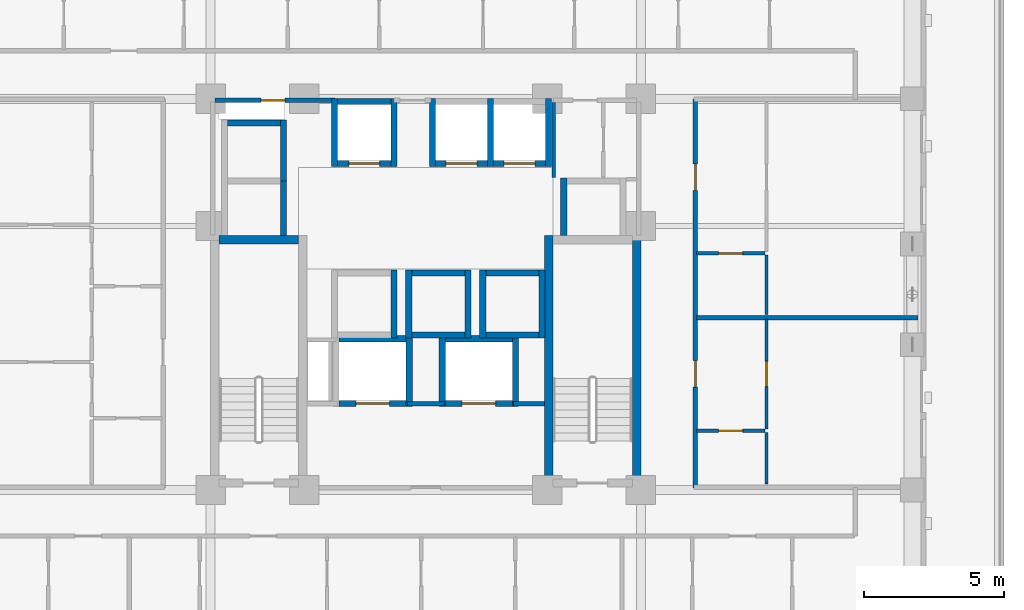
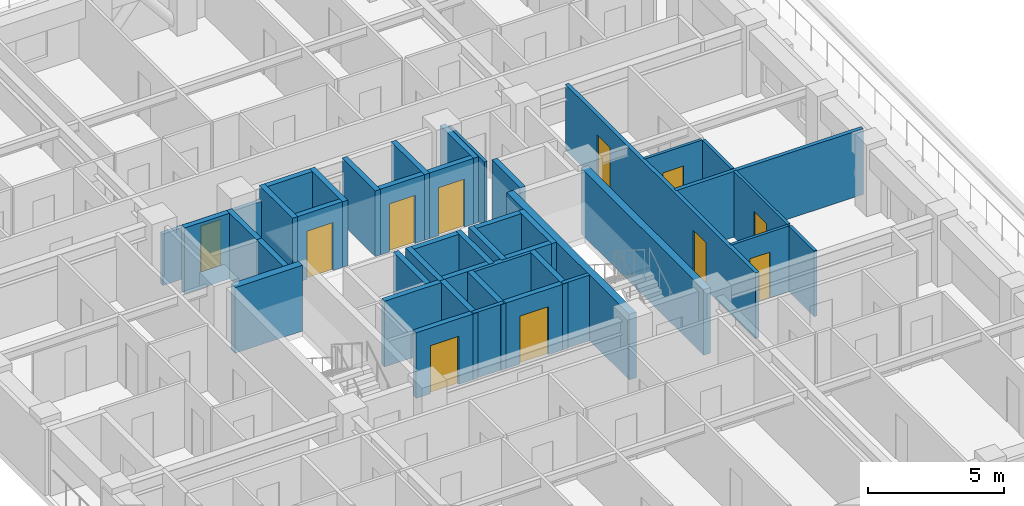
# One storey, part 9 of 16: 43 walls, 11 doors, 11 openings.
"""IFC4 building model written with IfcOpenShell, lengths in metres."""

from ifc_helpers import new_model, si_unit, derived_unit, direction, frame, frame_2d, origin, place, context, subcontext, project, spatial, rectangle, extrude, material, layer, layer_set, type_object, element, fill, save


model = new_model("IFC4")

# Units and contexts
model_context = context("Model", 3, precision=1e-05, world=origin(), true_north=direction((0.0, 1.0)))
body_context = subcontext(model_context, "Body", "Model", "MODEL_VIEW")
ifc_project = project(units=[si_unit("LENGTHUNIT", "METRE"), si_unit("AREAUNIT", "SQUARE_METRE"), si_unit("VOLUMEUNIT", "CUBIC_METRE"), si_unit("PLANEANGLEUNIT", "RADIAN"), si_unit("MASSUNIT", "GRAM", prefix="KILO"), derived_unit("THERMALTRANSMITTANCEUNIT", [(si_unit("MASSUNIT", "GRAM", prefix="KILO"), 1), (si_unit("TIMEUNIT", "SECOND"), -3), (si_unit("THERMODYNAMICTEMPERATUREUNIT", "KELVIN"), -1)])], contexts=[model_context])

# Site, building, storey
site_placement = place(None, origin())
site = spatial("IfcSite", under=ifc_project, at=site_placement, CompositionType="ELEMENT")
building_placement = place(site_placement, origin())
building = spatial("IfcBuilding", under=site, at=building_placement, Name="Korrvale Station Residences", CompositionType="ELEMENT")
storey_placement = place(building_placement, frame((0.0, 0.0, 75.10009765625)))
storey = spatial("IfcBuildingStorey", under=building, at=storey_placement, Name="L20", CompositionType="ELEMENT", Elevation=75.10009765625)

# Walls
ifc_material_1 = material(Name="Concrete C60/75", Category="concrete")
ifc_layer_1 = layer(ifc_material_1, 0.300048828125, Name="Concrete C60/75")
ifc_layer_set_1 = layer_set([ifc_layer_1], Name="Concrete C60/75")
wall_type_1 = type_object("IfcWallType", Name="WAL-CORE-300-C60", PredefinedType="SHEAR", material=ifc_layer_set_1)
wall_1_placement = place(storey_placement, frame((18.10009765625, 23.949951171875, 0.0), z_axis=(0.0, 0.0, 1.0), x_axis=(1.0, 0.0, 0.0)))
element("IfcWall", 1, at=wall_1_placement, inside=storey, type_object=wall_type_1, Name="L20 ST-1 Core Shear Wall North", PredefinedType="SHEAR", context=body_context, shape_type="SweptSolid", body=[
    extrude(rectangle(XDim=2.849853515625, YDim=0.300048828125, at=frame_2d((1.4248046875, 0.0))), origin(), (0.0, 0.0, 1.0), 2.93994140625),
])
for number, where, z_axis, x_axis, name in (
    (2, (29.89990234375, 15.10009765625, 0.0), (0.0, 0.0, 1.0), (0.0, 1.0, 0.0), "L20 ST-2 Core Shear Wall West"),
    (3, (33.050048828125, 15.10009765625, 0.0), (0.0, 0.0, 1.0), (0.0, 1.0, 0.0), "L20 ST-2 Core Shear Wall East"),
):
    element("IfcWall", number, at=place(storey_placement, frame(where, z_axis=z_axis, x_axis=x_axis)), inside=storey, type_object=wall_type_1, Name=name, PredefinedType="SHEAR", context=body_context, shape_type="SweptSolid", body=[
        extrude(rectangle(XDim=9.0, YDim=0.300048828125, at=frame_2d((4.5, 0.0))), origin(), (0.0, 0.0, 1.0), 2.93994140625),
    ])
ifc_material_2 = material(Name="Acoustic steel-stud gypsum board partition", Category="steel")
ifc_layer_2 = layer(ifc_material_2, 0.1201171875, Name="Acoustic steel-stud gypsum board partition")
ifc_layer_set_2 = layer_set([ifc_layer_2], Name="Acoustic steel-stud gypsum board partition")
wall_type_2 = type_object("IfcWallType", Name="WAL-PART-125", PredefinedType="PARTITIONING", material=ifc_layer_set_2)
wall_2_placement = place(storey_placement, frame((30.080078125, 26.179931640625, 0.0), z_axis=(0.0, 0.0, 1.0), x_axis=(0.0, 1.0, 0.0)))
element("IfcWall", 4, at=wall_2_placement, inside=storey, type_object=wall_type_2, Name="L20 Core Partition CW-CS-W", PredefinedType="PARTITIONING", context=body_context, shape_type="SweptSolid", body=[
    extrude(rectangle(XDim=2.68017578125, YDim=0.1201171875, at=frame_2d((1.340087890625, 0.0))), origin(), (0.0, 0.0, 1.0), 2.93994140625),
])

# Wall, opening, door
wall_3_placement = place(storey_placement, frame((35.18994140625, 17.1201171875, 0.0), z_axis=(0.0, 0.0, 1.0), x_axis=(1.0, 0.0, 0.0)))
wall_3 = element("IfcWall", 5, at=wall_3_placement, inside=storey, type_object=wall_type_2, Name="L20 Suite Partition U06-H01", PredefinedType="PARTITIONING", context=body_context, shape_type="SweptSolid", body=[
    extrude(rectangle(XDim=2.449951171875, YDim=0.1201171875, at=frame_2d((1.22509765625, 0.0))), origin(), (0.0, 0.0, 1.0), 2.93994140625),
])
opening_1_placement = place(wall_3_placement, frame((0.794921875, 0.0, 0.0)))
opening_1 = element("IfcOpeningElement", 6, at=opening_1_placement, cuts=wall_3, Name="Opening DB-860", PredefinedType="OPENING", context=body_context, shape_type="SweptSolid", body=[
    extrude(rectangle(XDim=0.860107421875, YDim=2.050048828125, at=frame_2d((0.43017578125, 1.02490234375))), frame((0.0, 0.070068359375, 0.0), z_axis=(0.0, -1.0, 0.0), x_axis=(1.0, 0.0, 0.0)), (0.0, 0.0, 1.0), 0.14013671875),
])
ifc_material_3 = material(Name="Moisture-resistant solid-core bathroom door", Category="timber")
door_type_1 = type_object("IfcDoorType", Name="DR-BATH-860", OperationType="NOTDEFINED", PredefinedType="DOOR", material=ifc_material_3)
door_1_placement = place(opening_1_placement, origin())
door_1 = element("IfcDoor", 7, at=door_1_placement, inside=storey, type_object=door_type_1, Name="L20 Studio Apartment L20-U06 Bathroom Door", OperationType="SINGLE_SWING_RIGHT", OverallHeight=2.050048828125, OverallWidth=0.860107421875, PredefinedType="DOOR", context=body_context, shape_type="SweptSolid", body=[
    extrude(rectangle(XDim=0.860107421875, YDim=2.050048828125, at=frame_2d((0.43017578125, 1.02490234375))), frame((0.0, 0.02490234375, 0.0), z_axis=(0.0, -1.0, 0.0), x_axis=(1.0, 0.0, 0.0)), (0.0, 0.0, 1.0), 0.050048828125),
])
fill(opening_1, door_1)

# Wall
wall_4_placement = place(storey_placement, frame((37.699951171875, 15.2099609375, 0.0), z_axis=(0.0, 0.0, 1.0), x_axis=(0.0, 1.0, 0.0)))
element("IfcWall", 8, at=wall_4_placement, inside=storey, type_object=wall_type_2, Name="L20 Suite Partition U06-V02", PredefinedType="PARTITIONING", context=body_context, shape_type="SweptSolid", body=[
    extrude(rectangle(XDim=1.85009765625, YDim=0.1201171875, at=frame_2d((0.925048828125, 0.0))), origin(), (0.0, 0.0, 1.0), 2.93994140625),
])

# Wall, opening, door
wall_5_placement = place(storey_placement, frame((37.699951171875, 17.179931640625, 0.0), z_axis=(0.0, 0.0, 1.0), x_axis=(0.0, 1.0, 0.0)))
wall_5 = element("IfcWall", 9, at=wall_5_placement, inside=storey, type_object=wall_type_2, Name="L20 Suite Partition U06-V12", PredefinedType="PARTITIONING", context=body_context, shape_type="SweptSolid", body=[
    extrude(rectangle(XDim=3.946044921875, YDim=0.1201171875, at=frame_2d((1.97314453125, 0.0))), origin(), (0.0, 0.0, 1.0), 2.93994140625),
])
opening_2_placement = place(wall_5_placement, frame((1.52294921875, 0.0, 0.0)))
opening_2 = element("IfcOpeningElement", 10, at=opening_2_placement, cuts=wall_5, Name="Opening DI-900", PredefinedType="OPENING", context=body_context, shape_type="SweptSolid", body=[
    extrude(rectangle(XDim=0.89990234375, YDim=2.050048828125, at=frame_2d((0.449951171875, 1.02490234375))), frame((0.0, 0.070068359375, 0.0), z_axis=(0.0, -1.0, 0.0), x_axis=(1.0, 0.0, 0.0)), (0.0, 0.0, 1.0), 0.14013671875),
])
ifc_material_4 = material(Name="Painted solid-core timber interior room door", Category="wood")
door_type_2 = type_object("IfcDoorType", Name="DR-INT-900", OperationType="NOTDEFINED", PredefinedType="DOOR", material=ifc_material_4)
door_2_placement = place(opening_2_placement, origin())
door_2 = element("IfcDoor", 11, at=door_2_placement, inside=storey, type_object=door_type_2, Name="L20 Studio Apartment L20-U06 Kitchen Door", OperationType="SINGLE_SWING_LEFT", OverallHeight=2.050048828125, OverallWidth=0.89990234375, PredefinedType="DOOR", context=body_context, shape_type="SweptSolid", body=[
    extrude(rectangle(XDim=0.89990234375, YDim=2.050048828125, at=frame_2d((0.449951171875, 1.02490234375))), frame((0.0, 0.02490234375, 0.0), z_axis=(0.0, -1.0, 0.0), x_axis=(1.0, 0.0, 0.0)), (0.0, 0.0, 1.0), 0.050048828125),
])
fill(opening_2, door_2)

wall_6_placement = place(storey_placement, frame((35.18994140625, 23.467041015625, 0.0), z_axis=(0.0, 0.0, 1.0), x_axis=(1.0, 0.0, 0.0)))
wall_6 = element("IfcWall", 12, at=wall_6_placement, inside=storey, type_object=wall_type_2, Name="L20 Suite Partition U07-H01", PredefinedType="PARTITIONING", context=body_context, shape_type="SweptSolid", body=[
    extrude(rectangle(XDim=2.449951171875, YDim=0.1201171875, at=frame_2d((1.22509765625, 0.0))), origin(), (0.0, 0.0, 1.0), 2.93994140625),
])
opening_3_placement = place(wall_6_placement, frame((0.794921875, 0.0, 0.0)))
opening_3 = element("IfcOpeningElement", 13, at=opening_3_placement, cuts=wall_6, Name="Opening DB-860", PredefinedType="OPENING", context=body_context, shape_type="SweptSolid", body=[
    extrude(rectangle(XDim=0.860107421875, YDim=2.050048828125, at=frame_2d((0.43017578125, 1.02490234375))), frame((0.0, 0.070068359375, 0.0), z_axis=(0.0, -1.0, 0.0), x_axis=(1.0, 0.0, 0.0)), (0.0, 0.0, 1.0), 0.14013671875),
])
door_3_placement = place(opening_3_placement, origin())
door_3 = element("IfcDoor", 14, at=door_3_placement, inside=storey, type_object=door_type_1, Name="L20 Studio Apartment L20-U07 Bathroom Door", OperationType="SINGLE_SWING_RIGHT", OverallHeight=2.050048828125, OverallWidth=0.860107421875, PredefinedType="DOOR", context=body_context, shape_type="SweptSolid", body=[
    extrude(rectangle(XDim=0.860107421875, YDim=2.050048828125, at=frame_2d((0.43017578125, 1.02490234375))), frame((0.0, 0.02490234375, 0.0), z_axis=(0.0, -1.0, 0.0), x_axis=(1.0, 0.0, 0.0)), (0.0, 0.0, 1.0), 0.050048828125),
])
fill(opening_3, door_3)

# Walls
wall_7_placement = place(storey_placement, frame((37.699951171875, 21.285888671875, 0.0), z_axis=(0.0, 0.0, 1.0), x_axis=(0.0, 1.0, 0.0)))
element("IfcWall", 15, at=wall_7_placement, inside=storey, type_object=wall_type_2, Name="L20 Suite Partition U07-V02", PredefinedType="PARTITIONING", context=body_context, shape_type="SweptSolid", body=[
    extrude(rectangle(XDim=2.12109375, YDim=0.1201171875, at=frame_2d((1.060546875, 0.0))), origin(), (0.0, 0.0, 1.0), 2.93994140625),
])
ifc_material_5 = material(Name="Fire-rated twin-stud gypsum and mineral wool shaftwall assembly", Category="gypsum")
ifc_layer_3 = layer(ifc_material_5, 0.159912109375, Name="Fire-rated twin-stud gypsum and mineral wool shaftwall assembly")
ifc_layer_set_3 = layer_set([ifc_layer_3], Name="Fire-rated twin-stud gypsum and mineral wool shaftwall assembly")
wall_type_3 = type_object("IfcWallType", Name="WAL-PART-200", PredefinedType="PARTITIONING", material=ifc_layer_set_3)
wall_8_placement = place(storey_placement, frame((24.85009765625, 18.080078125, 0.0), z_axis=(0.0, 0.0, 1.0), x_axis=(1.0, 0.0, 0.0)))
element("IfcWall", 16, at=wall_8_placement, inside=storey, type_object=wall_type_3, Name="L20 Core Partition CW-FFL-N2", PredefinedType="PARTITIONING", context=body_context, shape_type="SweptSolid", body=[
    extrude(rectangle(XDim=1.2998046875, YDim=0.159912109375, at=frame_2d((0.64990234375, 0.0))), origin(), (0.0, 0.0, 1.0), 2.93994140625),
])
wall_9_placement = place(storey_placement, frame((28.64990234375, 18.080078125, 0.0), z_axis=(0.0, 0.0, 1.0), x_axis=(1.0, 0.0, 0.0)))
element("IfcWall", 17, at=wall_9_placement, inside=storey, type_object=wall_type_3, Name="L20 Core Partition CW-FFL-N3", PredefinedType="PARTITIONING", context=body_context, shape_type="SweptSolid", body=[
    extrude(rectangle(XDim=1.10009765625, YDim=0.159912109375, at=frame_2d((0.550048828125, 0.0))), origin(), (0.0, 0.0, 1.0), 2.93994140625),
])

# Wall, opening, door
wall_10_placement = place(storey_placement, frame((17.9599609375, 28.949951171875, 0.0), z_axis=(0.0, 0.0, 1.0), x_axis=(1.0, 0.0, 0.0)))
wall_10 = element("IfcWall", 18, at=wall_10_placement, inside=storey, type_object=wall_type_3, Name="L20 Core Partition CW-NW", PredefinedType="PARTITIONING", context=body_context, shape_type="SweptSolid", body=[
    extrude(rectangle(XDim=4.2900390625, YDim=0.159912109375, at=frame_2d((2.14501953125, 0.0))), origin(), (0.0, 0.0, 1.0), 2.308837890625),
])
opening_4_placement = place(wall_10_placement, frame((1.64501953125, 0.0, 0.0)))
opening_4 = element("IfcOpeningElement", 19, at=opening_4_placement, cuts=wall_10, Name="Opening DB-860", PredefinedType="OPENING", context=body_context, shape_type="SweptSolid", body=[
    extrude(rectangle(XDim=0.860107421875, YDim=2.050048828125, at=frame_2d((0.43017578125, 1.02490234375))), frame((0.0, 0.08984375, 0.0), z_axis=(0.0, -1.0, 0.0), x_axis=(1.0, 0.0, 0.0)), (0.0, 0.0, 1.0), 0.179931640625),
])
door_4_placement = place(opening_4_placement, origin())
door_4 = element("IfcDoor", 20, at=door_4_placement, inside=storey, type_object=door_type_1, Name="L20 Electrical Riser Access Door", OperationType="SINGLE_SWING_LEFT", OverallHeight=2.050048828125, OverallWidth=0.860107421875, PredefinedType="DOOR", context=body_context, shape_type="SweptSolid", body=[
    extrude(rectangle(XDim=0.860107421875, YDim=2.050048828125, at=frame_2d((0.43017578125, 1.02490234375))), frame((0.0, 0.02490234375, 0.0), z_axis=(0.0, -1.0, 0.0), x_axis=(1.0, 0.0, 0.0)), (0.0, 0.0, 1.0), 0.050048828125),
])
fill(opening_4, door_4)

# Wall
wall_11_placement = place(storey_placement, frame((35.18994140625, 21.166015625, 0.0), z_axis=(0.0, 0.0, 1.0), x_axis=(1.0, 0.0, 0.0)))
element("IfcWall", 21, at=wall_11_placement, inside=storey, type_object=wall_type_3, Name="L20 Demising Wall U06-N", PredefinedType="PARTITIONING", context=body_context, shape_type="SweptSolid", body=[
    extrude(rectangle(XDim=7.93017578125, YDim=0.159912109375, at=frame_2d((3.965087890625, 0.0))), origin(), (0.0, 0.0, 1.0), 2.93994140625),
])

# Wall, openings, doors
wall_12_placement = place(storey_placement, frame((35.14990234375, 15.070068359375, 0.0), z_axis=(0.0, 0.0, 1.0), x_axis=(0.0, 1.0, 0.0)))
wall_12 = element("IfcWall", 22, at=wall_12_placement, inside=storey, type_object=wall_type_3, Name="L20 Rated Corridor Wall E", PredefinedType="PARTITIONING", context=body_context, shape_type="SweptSolid", body=[
    extrude(rectangle(XDim=13.929931640625, YDim=0.159912109375, at=frame_2d((6.96484375, 0.0))), origin(), (0.0, 0.0, 1.0), 2.93994140625),
])
opening_5_placement = place(wall_12_placement, frame((3.60791015625, 0.0, 0.0)))
opening_5 = element("IfcOpeningElement", 23, at=opening_5_placement, cuts=wall_12, Name="Opening UD-950", PredefinedType="OPENING", context=body_context, shape_type="SweptSolid", body=[
    extrude(rectangle(XDim=0.949951171875, YDim=2.10009765625, at=frame_2d((0.47509765625, 1.050048828125))), frame((0.0, 0.08984375, 0.0), z_axis=(0.0, -1.0, 0.0), x_axis=(1.0, 0.0, 0.0)), (0.0, 0.0, 1.0), 0.179931640625),
])
opening_6_placement = place(wall_12_placement, frame((10.64892578125, 0.0, 0.0)))
opening_6 = element("IfcOpeningElement", 24, at=opening_6_placement, cuts=wall_12, Name="Opening UD-950", PredefinedType="OPENING", context=body_context, shape_type="SweptSolid", body=[
    extrude(rectangle(XDim=0.949951171875, YDim=2.10009765625, at=frame_2d((0.47509765625, 1.050048828125))), frame((0.0, 0.08984375, 0.0), z_axis=(0.0, -1.0, 0.0), x_axis=(1.0, 0.0, 0.0)), (0.0, 0.0, 1.0), 0.179931640625),
])
ifc_material_6 = material(Name="Solid-core acoustic oak apartment entrance door", Category="timber")
door_type_3 = type_object("IfcDoorType", Name="DR-UNIT-950", OperationType="NOTDEFINED", PredefinedType="DOOR", material=ifc_material_6)
door_5_placement = place(opening_5_placement, origin())
door_5 = element("IfcDoor", 25, at=door_5_placement, inside=storey, type_object=door_type_3, Name="L20 Apartment L20-U06 Entrance Door", OperationType="SINGLE_SWING_LEFT", OverallHeight=2.10009765625, OverallWidth=0.949951171875, PredefinedType="DOOR", context=body_context, shape_type="SweptSolid", body=[
    extrude(rectangle(XDim=0.949951171875, YDim=2.10009765625, at=frame_2d((0.47509765625, 1.050048828125))), frame((0.0, 0.02490234375, 0.0), z_axis=(0.0, -1.0, 0.0), x_axis=(1.0, 0.0, 0.0)), (0.0, 0.0, 1.0), 0.050048828125),
])
fill(opening_5, door_5)
door_6_placement = place(opening_6_placement, origin())
door_6 = element("IfcDoor", 26, at=door_6_placement, inside=storey, type_object=door_type_3, Name="L20 Apartment L20-U07 Entrance Door", OperationType="SINGLE_SWING_RIGHT", OverallHeight=2.10009765625, OverallWidth=0.949951171875, PredefinedType="DOOR", context=body_context, shape_type="SweptSolid", body=[
    extrude(rectangle(XDim=0.949951171875, YDim=2.10009765625, at=frame_2d((0.47509765625, 1.050048828125))), frame((0.0, 0.02490234375, 0.0), z_axis=(0.0, -1.0, 0.0), x_axis=(1.0, 0.0, 0.0)), (0.0, 0.0, 1.0), 0.050048828125),
])
fill(opening_6, door_6)

# Wall, opening, door
ifc_layer_4 = layer(ifc_material_1, 0.219970703125, Name="Concrete C60/75")
ifc_layer_set_4 = layer_set([ifc_layer_4], Name="Concrete C60/75")
wall_type_4 = type_object("IfcWallType", Name="WAL-SHAFT-220-C60", PredefinedType="SHEAR", material=ifc_layer_set_4)
wall_13_placement = place(storey_placement, frame((22.35009765625, 26.68994140625, 0.0), z_axis=(0.0, 0.0, 1.0), x_axis=(1.0, 0.0, 0.0)))
wall_13 = element("IfcWall", 27, at=wall_13_placement, inside=storey, type_object=wall_type_4, Name="L20 Elevator PL-1 Hoistway Wall South", PredefinedType="SHEAR", context=body_context, shape_type="SweptSolid", body=[
    extrude(rectangle(XDim=1.89990234375, YDim=0.219970703125, at=frame_2d((0.949951171875, 0.0))), origin(), (0.0, 0.0, 1.0), 2.93994140625),
])
opening_7_placement = place(wall_13_placement, frame((0.39990234375, 0.0, 0.0)))
opening_7 = element("IfcOpeningElement", 28, at=opening_7_placement, cuts=wall_13, Name="Opening LD-1100", PredefinedType="OPENING", context=body_context, shape_type="SweptSolid", body=[
    extrude(rectangle(XDim=1.10009765625, YDim=2.14990234375, at=frame_2d((0.550048828125, 1.074951171875))), frame((0.0, 0.1201171875, 0.0), z_axis=(0.0, -1.0, 0.0), x_axis=(1.0, 0.0, 0.0)), (0.0, 0.0, 1.0), 0.239990234375),
])
ifc_material_7 = material(Name="Brushed stainless-steel elevator landing sliding door", Category="steel")
door_type_4 = type_object("IfcDoorType", Name="DR-LIFT-1100", OperationType="SLIDING_TO_LEFT", PredefinedType="DOOR", material=ifc_material_7)
door_7_placement = place(opening_7_placement, origin())
door_7 = element("IfcDoor", 29, at=door_7_placement, inside=storey, type_object=door_type_4, Name="L20 Elevator PL-1 Sliding Landing Door", OperationType="SLIDING_TO_LEFT", OverallHeight=2.14990234375, OverallWidth=1.10009765625, PredefinedType="DOOR", context=body_context, shape_type="SweptSolid", body=[
    extrude(rectangle(XDim=1.10009765625, YDim=2.14990234375, at=frame_2d((0.550048828125, 1.074951171875))), frame((0.0, 0.02490234375, 0.0), z_axis=(0.0, -1.0, 0.0), x_axis=(1.0, 0.0, 0.0)), (0.0, 0.0, 1.0), 0.050048828125),
])
fill(opening_7, door_7)

# Walls
wall_14_placement = place(storey_placement, frame((22.35009765625, 28.909912109375, 0.0), z_axis=(0.0, 0.0, 1.0), x_axis=(1.0, 0.0, 0.0)))
element("IfcWall", 30, at=wall_14_placement, inside=storey, type_object=wall_type_4, Name="L20 Elevator PL-1 Hoistway Wall North", PredefinedType="SHEAR", context=body_context, shape_type="SweptSolid", body=[
    extrude(rectangle(XDim=1.89990234375, YDim=0.219970703125, at=frame_2d((0.949951171875, 0.0))), origin(), (0.0, 0.0, 1.0), 2.93994140625),
])
for number, where, z_axis, x_axis, name in (
    (31, (22.239990234375, 26.580078125, 0.0), (0.0, 0.0, 1.0), (0.0, 1.0, 0.0), "L20 Elevator PL-1 Hoistway Wall West"),
    (32, (24.360107421875, 26.580078125, 0.0), (0.0, 0.0, 1.0), (0.0, 1.0, 0.0), "L20 Elevator PL-1 Hoistway Wall East"),
):
    element("IfcWall", number, at=place(storey_placement, frame(where, z_axis=z_axis, x_axis=x_axis)), inside=storey, type_object=wall_type_4, Name=name, PredefinedType="SHEAR", context=body_context, shape_type="SweptSolid", body=[
        extrude(rectangle(XDim=2.43994140625, YDim=0.219970703125, at=frame_2d((1.219970703125, 0.0))), origin(), (0.0, 0.0, 1.0), 2.93994140625),
    ])

# Wall, opening, door
wall_15_placement = place(storey_placement, frame((25.85009765625, 26.68994140625, 0.0), z_axis=(0.0, 0.0, 1.0), x_axis=(1.0, 0.0, 0.0)))
wall_15 = element("IfcWall", 33, at=wall_15_placement, inside=storey, type_object=wall_type_4, Name="L20 Elevator PL-2 Hoistway Wall South", PredefinedType="SHEAR", context=body_context, shape_type="SweptSolid", body=[
    extrude(rectangle(XDim=1.85986328125, YDim=0.219970703125, at=frame_2d((0.929931640625, 0.0))), origin(), (0.0, 0.0, 1.0), 2.93994140625),
])
opening_8_placement = place(wall_15_placement, frame((0.3798828125, 0.0, 0.0)))
opening_8 = element("IfcOpeningElement", 34, at=opening_8_placement, cuts=wall_15, Name="Opening LD-1100", PredefinedType="OPENING", context=body_context, shape_type="SweptSolid", body=[
    extrude(rectangle(XDim=1.10009765625, YDim=2.14990234375, at=frame_2d((0.550048828125, 1.074951171875))), frame((0.0, 0.1201171875, 0.0), z_axis=(0.0, -1.0, 0.0), x_axis=(1.0, 0.0, 0.0)), (0.0, 0.0, 1.0), 0.239990234375),
])
door_8_placement = place(opening_8_placement, origin())
door_8 = element("IfcDoor", 35, at=door_8_placement, inside=storey, type_object=door_type_4, Name="L20 Elevator PL-2 Sliding Landing Door", OperationType="SLIDING_TO_LEFT", OverallHeight=2.14990234375, OverallWidth=1.10009765625, PredefinedType="DOOR", context=body_context, shape_type="SweptSolid", body=[
    extrude(rectangle(XDim=1.10009765625, YDim=2.14990234375, at=frame_2d((0.550048828125, 1.074951171875))), frame((0.0, 0.02490234375, 0.0), z_axis=(0.0, -1.0, 0.0), x_axis=(1.0, 0.0, 0.0)), (0.0, 0.0, 1.0), 0.050048828125),
])
fill(opening_8, door_8)

# Walls
for number, where, z_axis, x_axis, name in (
    (36, (25.739990234375, 26.580078125, 0.0), (0.0, 0.0, 1.0), (0.0, 1.0, 0.0), "L20 Elevator PL-2 Hoistway Wall West"),
    (37, (27.820068359375, 26.580078125, 0.0), (0.0, 0.0, 1.0), (0.0, 1.0, 0.0), "L20 Elevator PL-2 Hoistway Wall East"),
):
    element("IfcWall", number, at=place(storey_placement, frame(where, z_axis=z_axis, x_axis=x_axis)), inside=storey, type_object=wall_type_4, Name=name, PredefinedType="SHEAR", context=body_context, shape_type="SweptSolid", body=[
        extrude(rectangle(XDim=2.43994140625, YDim=0.219970703125, at=frame_2d((1.219970703125, 0.0))), origin(), (0.0, 0.0, 1.0), 2.93994140625),
    ])

# Wall, opening, door
wall_16_placement = place(storey_placement, frame((27.929931640625, 26.68994140625, 0.0), z_axis=(0.0, 0.0, 1.0), x_axis=(1.0, 0.0, 0.0)))
wall_16 = element("IfcWall", 38, at=wall_16_placement, inside=storey, type_object=wall_type_4, Name="L20 Elevator PL-3 Hoistway Wall South", PredefinedType="SHEAR", context=body_context, shape_type="SweptSolid", body=[
    extrude(rectangle(XDim=1.860107421875, YDim=0.219970703125, at=frame_2d((0.93017578125, 0.0))), origin(), (0.0, 0.0, 1.0), 2.93994140625),
])
opening_9_placement = place(wall_16_placement, frame((0.3798828125, 0.0, 0.0)))
opening_9 = element("IfcOpeningElement", 39, at=opening_9_placement, cuts=wall_16, Name="Opening LD-1100", PredefinedType="OPENING", context=body_context, shape_type="SweptSolid", body=[
    extrude(rectangle(XDim=1.10009765625, YDim=2.14990234375, at=frame_2d((0.550048828125, 1.074951171875))), frame((0.0, 0.1201171875, 0.0), z_axis=(0.0, -1.0, 0.0), x_axis=(1.0, 0.0, 0.0)), (0.0, 0.0, 1.0), 0.239990234375),
])
door_9_placement = place(opening_9_placement, origin())
door_9 = element("IfcDoor", 40, at=door_9_placement, inside=storey, type_object=door_type_4, Name="L20 Elevator PL-3 Sliding Landing Door", OperationType="SLIDING_TO_LEFT", OverallHeight=2.14990234375, OverallWidth=1.10009765625, PredefinedType="DOOR", context=body_context, shape_type="SweptSolid", body=[
    extrude(rectangle(XDim=1.10009765625, YDim=2.14990234375, at=frame_2d((0.550048828125, 1.074951171875))), frame((0.0, 0.02490234375, 0.0), z_axis=(0.0, -1.0, 0.0), x_axis=(1.0, 0.0, 0.0)), (0.0, 0.0, 1.0), 0.050048828125),
])
fill(opening_9, door_9)

# Walls
wall_17_placement = place(storey_placement, frame((29.89990234375, 26.580078125, 0.0), z_axis=(0.0, 0.0, 1.0), x_axis=(0.0, 1.0, 0.0)))
element("IfcWall", 41, at=wall_17_placement, inside=storey, type_object=wall_type_4, Name="L20 Elevator PL-3 Hoistway Wall East", PredefinedType="SHEAR", context=body_context, shape_type="SweptSolid", body=[
    extrude(rectangle(XDim=2.43994140625, YDim=0.219970703125, at=frame_2d((1.219970703125, 0.0))), origin(), (0.0, 0.0, 1.0), 2.93994140625),
])
wall_18_placement = place(storey_placement, frame((24.360107421875, 20.429931640625, 0.0), z_axis=(0.0, 0.0, 1.0), x_axis=(0.0, 1.0, 0.0)))
element("IfcWall", 42, at=wall_18_placement, inside=storey, type_object=wall_type_4, Name="L20 Elevator PM-1 Hoistway Wall East", PredefinedType="SHEAR", context=body_context, shape_type="SweptSolid", body=[
    extrude(rectangle(XDim=2.440185546875, YDim=0.219970703125, at=frame_2d((1.22021484375, 0.0))), origin(), (0.0, 0.0, 1.0), 2.93994140625),
])
for number, where, z_axis, x_axis, name in (
    (43, (25.0, 20.5400390625, 0.0), (0.0, 0.0, 1.0), (1.0, 0.0, 0.0), "L20 Elevator PM-2 Hoistway Wall South"),
    (44, (25.0, 22.760009765625, 0.0), (0.0, 0.0, 1.0), (1.0, 0.0, 0.0), "L20 Elevator PM-2 Hoistway Wall North"),
):
    element("IfcWall", number, at=place(storey_placement, frame(where, z_axis=z_axis, x_axis=x_axis)), inside=storey, type_object=wall_type_4, Name=name, PredefinedType="SHEAR", context=body_context, shape_type="SweptSolid", body=[
        extrude(rectangle(XDim=1.89990234375, YDim=0.219970703125, at=frame_2d((0.949951171875, 0.0))), origin(), (0.0, 0.0, 1.0), 2.93994140625),
    ])
for number, where, z_axis, x_axis, name in (
    (45, (24.889892578125, 20.429931640625, 0.0), (0.0, 0.0, 1.0), (0.0, 1.0, 0.0), "L20 Elevator PM-2 Hoistway Wall West"),
    (46, (27.010009765625, 20.429931640625, 0.0), (0.0, 0.0, 1.0), (0.0, 1.0, 0.0), "L20 Elevator PM-2 Hoistway Wall East"),
):
    element("IfcWall", number, at=place(storey_placement, frame(where, z_axis=z_axis, x_axis=x_axis)), inside=storey, type_object=wall_type_4, Name=name, PredefinedType="SHEAR", context=body_context, shape_type="SweptSolid", body=[
        extrude(rectangle(XDim=2.440185546875, YDim=0.219970703125, at=frame_2d((1.22021484375, 0.0))), origin(), (0.0, 0.0, 1.0), 2.93994140625),
    ])
for number, where, z_axis, x_axis, name in (
    (47, (27.64990234375, 20.5400390625, 0.0), (0.0, 0.0, 1.0), (1.0, 0.0, 0.0), "L20 Elevator PM-3 Hoistway Wall South"),
    (48, (27.64990234375, 22.760009765625, 0.0), (0.0, 0.0, 1.0), (1.0, 0.0, 0.0), "L20 Elevator PM-3 Hoistway Wall North"),
):
    element("IfcWall", number, at=place(storey_placement, frame(where, z_axis=z_axis, x_axis=x_axis)), inside=storey, type_object=wall_type_4, Name=name, PredefinedType="SHEAR", context=body_context, shape_type="SweptSolid", body=[
        extrude(rectangle(XDim=1.900146484375, YDim=0.219970703125, at=frame_2d((0.9501953125, 0.0))), origin(), (0.0, 0.0, 1.0), 2.93994140625),
    ])
for number, where, z_axis, x_axis, name in (
    (49, (27.5400390625, 20.429931640625, 0.0), (0.0, 0.0, 1.0), (0.0, 1.0, 0.0), "L20 Elevator PM-3 Hoistway Wall West"),
    (50, (29.659912109375, 20.429931640625, 0.0), (0.0, 0.0, 1.0), (0.0, 1.0, 0.0), "L20 Elevator PM-3 Hoistway Wall East"),
):
    element("IfcWall", number, at=place(storey_placement, frame(where, z_axis=z_axis, x_axis=x_axis)), inside=storey, type_object=wall_type_4, Name=name, PredefinedType="SHEAR", context=body_context, shape_type="SweptSolid", body=[
        extrude(rectangle(XDim=2.440185546875, YDim=0.219970703125, at=frame_2d((1.22021484375, 0.0))), origin(), (0.0, 0.0, 1.0), 2.93994140625),
    ])
wall_19_placement = place(storey_placement, frame((20.409912109375, 24.10009765625, 0.0), z_axis=(0.0, 0.0, 1.0), x_axis=(0.0, 1.0, 0.0)))
element("IfcWall", 51, at=wall_19_placement, inside=storey, type_object=wall_type_4, Name="L20 Elevator PH-1 Hoistway Wall East", PredefinedType="SHEAR", context=body_context, shape_type="SweptSolid", body=[
    extrude(rectangle(XDim=1.9599609375, YDim=0.219970703125, at=frame_2d((0.97998046875, 0.0))), origin(), (0.0, 0.0, 1.0), 2.93994140625),
])
wall_20_placement = place(storey_placement, frame((18.39990234375, 28.1298828125, 0.0), z_axis=(0.0, 0.0, 1.0), x_axis=(1.0, 0.0, 0.0)))
element("IfcWall", 52, at=wall_20_placement, inside=storey, type_object=wall_type_4, Name="L20 Elevator PH-2 Hoistway Wall North", PredefinedType="SHEAR", context=body_context, shape_type="SweptSolid", body=[
    extrude(rectangle(XDim=1.900146484375, YDim=0.219970703125, at=frame_2d((0.9501953125, 0.0))), origin(), (0.0, 0.0, 1.0), 2.93994140625),
])
wall_21_placement = place(storey_placement, frame((20.409912109375, 26.06005859375, 0.0), z_axis=(0.0, 0.0, 1.0), x_axis=(0.0, 1.0, 0.0)))
element("IfcWall", 53, at=wall_21_placement, inside=storey, type_object=wall_type_4, Name="L20 Elevator PH-2 Hoistway Wall East", PredefinedType="SHEAR", context=body_context, shape_type="SweptSolid", body=[
    extrude(rectangle(XDim=2.179931640625, YDim=0.219970703125, at=frame_2d((1.08984375, 0.0))), origin(), (0.0, 0.0, 1.0), 2.93994140625),
])
wall_22_placement = place(storey_placement, frame((30.43994140625, 24.10009765625, 0.0), z_axis=(0.0, 0.0, 1.0), x_axis=(0.0, 1.0, 0.0)))
element("IfcWall", 54, at=wall_22_placement, inside=storey, type_object=wall_type_4, Name="L20 Elevator PH-3 Hoistway Wall West", PredefinedType="SHEAR", context=body_context, shape_type="SweptSolid", body=[
    extrude(rectangle(XDim=2.06982421875, YDim=0.219970703125, at=frame_2d((1.034912109375, 0.0))), origin(), (0.0, 0.0, 1.0), 2.93994140625),
])

# Wall, opening, door
wall_23_placement = place(storey_placement, frame((22.39990234375, 18.090087890625, 0.0), z_axis=(0.0, 0.0, 1.0), x_axis=(1.0, 0.0, 0.0)))
wall_23 = element("IfcWall", 55, at=wall_23_placement, inside=storey, type_object=wall_type_4, Name="L20 Elevator FFL-1 Hoistway Wall South", PredefinedType="SHEAR", context=body_context, shape_type="SweptSolid", body=[
    extrude(rectangle(XDim=2.400146484375, YDim=0.219970703125, at=frame_2d((1.2001953125, 0.0))), origin(), (0.0, 0.0, 1.0), 2.93994140625),
])
opening_10_placement = place(wall_23_placement, frame((0.60009765625, 0.0, 0.0)))
opening_10 = element("IfcOpeningElement", 56, at=opening_10_placement, cuts=wall_23, Name="Opening LD-FF1200", PredefinedType="OPENING", context=body_context, shape_type="SweptSolid", body=[
    extrude(rectangle(XDim=1.199951171875, YDim=2.14990234375, at=frame_2d((0.60009765625, 1.074951171875))), frame((0.0, 0.1201171875, 0.0), z_axis=(0.0, -1.0, 0.0), x_axis=(1.0, 0.0, 0.0)), (0.0, 0.0, 1.0), 0.239990234375),
])
ifc_material_8 = material(Name="Stainless-steel firefighter elevator landing sliding door", Category="steel")
door_type_5 = type_object("IfcDoorType", Name="DR-LIFT-FF1200", OperationType="SLIDING_TO_LEFT", PredefinedType="DOOR", material=ifc_material_8)
door_10_placement = place(opening_10_placement, origin())
door_10 = element("IfcDoor", 57, at=door_10_placement, inside=storey, type_object=door_type_5, Name="L20 Elevator FFL-1 Sliding Landing Door", OperationType="SLIDING_TO_LEFT", OverallHeight=2.14990234375, OverallWidth=1.199951171875, PredefinedType="DOOR", context=body_context, shape_type="SweptSolid", body=[
    extrude(rectangle(XDim=1.199951171875, YDim=2.14990234375, at=frame_2d((0.60009765625, 1.074951171875))), frame((0.0, 0.02490234375, 0.0), z_axis=(0.0, -1.0, 0.0), x_axis=(1.0, 0.0, 0.0)), (0.0, 0.0, 1.0), 0.050048828125),
])
fill(opening_10, door_10)

# Walls
wall_24_placement = place(storey_placement, frame((22.39990234375, 20.409912109375, 0.0), z_axis=(0.0, 0.0, 1.0), x_axis=(1.0, 0.0, 0.0)))
element("IfcWall", 58, at=wall_24_placement, inside=storey, type_object=wall_type_4, Name="L20 Elevator FFL-1 Hoistway Wall North", PredefinedType="SHEAR", context=body_context, shape_type="SweptSolid", body=[
    extrude(rectangle(XDim=2.400146484375, YDim=0.219970703125, at=frame_2d((1.2001953125, 0.0))), origin(), (0.0, 0.0, 1.0), 2.93994140625),
])
wall_25_placement = place(storey_placement, frame((24.909912109375, 17.97998046875, 0.0), z_axis=(0.0, 0.0, 1.0), x_axis=(0.0, 1.0, 0.0)))
element("IfcWall", 59, at=wall_25_placement, inside=storey, type_object=wall_type_4, Name="L20 Elevator FFL-1 Hoistway Wall East", PredefinedType="SHEAR", context=body_context, shape_type="SweptSolid", body=[
    extrude(rectangle(XDim=2.5400390625, YDim=0.219970703125, at=frame_2d((1.27001953125, 0.0))), origin(), (0.0, 0.0, 1.0), 2.93994140625),
])

# Wall, opening, door
wall_26_placement = place(storey_placement, frame((26.199951171875, 18.090087890625, 0.0), z_axis=(0.0, 0.0, 1.0), x_axis=(1.0, 0.0, 0.0)))
wall_26 = element("IfcWall", 60, at=wall_26_placement, inside=storey, type_object=wall_type_4, Name="L20 Elevator FFL-2 Hoistway Wall South", PredefinedType="SHEAR", context=body_context, shape_type="SweptSolid", body=[
    extrude(rectangle(XDim=2.400146484375, YDim=0.219970703125, at=frame_2d((1.2001953125, 0.0))), origin(), (0.0, 0.0, 1.0), 2.93994140625),
])
opening_11_placement = place(wall_26_placement, frame((0.60009765625, 0.0, 0.0)))
opening_11 = element("IfcOpeningElement", 61, at=opening_11_placement, cuts=wall_26, Name="Opening LD-FF1200", PredefinedType="OPENING", context=body_context, shape_type="SweptSolid", body=[
    extrude(rectangle(XDim=1.199951171875, YDim=2.14990234375, at=frame_2d((0.60009765625, 1.074951171875))), frame((0.0, 0.1201171875, 0.0), z_axis=(0.0, -1.0, 0.0), x_axis=(1.0, 0.0, 0.0)), (0.0, 0.0, 1.0), 0.239990234375),
])
door_11_placement = place(opening_11_placement, origin())
door_11 = element("IfcDoor", 62, at=door_11_placement, inside=storey, type_object=door_type_5, Name="L20 Elevator FFL-2 Sliding Landing Door", OperationType="SLIDING_TO_LEFT", OverallHeight=2.14990234375, OverallWidth=1.199951171875, PredefinedType="DOOR", context=body_context, shape_type="SweptSolid", body=[
    extrude(rectangle(XDim=1.199951171875, YDim=2.14990234375, at=frame_2d((0.60009765625, 1.074951171875))), frame((0.0, 0.02490234375, 0.0), z_axis=(0.0, -1.0, 0.0), x_axis=(1.0, 0.0, 0.0)), (0.0, 0.0, 1.0), 0.050048828125),
])
fill(opening_11, door_11)

# Walls
wall_27_placement = place(storey_placement, frame((26.199951171875, 20.409912109375, 0.0), z_axis=(0.0, 0.0, 1.0), x_axis=(1.0, 0.0, 0.0)))
element("IfcWall", 63, at=wall_27_placement, inside=storey, type_object=wall_type_4, Name="L20 Elevator FFL-2 Hoistway Wall North", PredefinedType="SHEAR", context=body_context, shape_type="SweptSolid", body=[
    extrude(rectangle(XDim=2.400146484375, YDim=0.219970703125, at=frame_2d((1.2001953125, 0.0))), origin(), (0.0, 0.0, 1.0), 2.93994140625),
])
for number, where, z_axis, x_axis, name in (
    (64, (26.090087890625, 17.97998046875, 0.0), (0.0, 0.0, 1.0), (0.0, 1.0, 0.0), "L20 Elevator FFL-2 Hoistway Wall West"),
    (65, (28.7099609375, 17.97998046875, 0.0), (0.0, 0.0, 1.0), (0.0, 1.0, 0.0), "L20 Elevator FFL-2 Hoistway Wall East"),
):
    element("IfcWall", number, at=place(storey_placement, frame(where, z_axis=z_axis, x_axis=x_axis)), inside=storey, type_object=wall_type_4, Name=name, PredefinedType="SHEAR", context=body_context, shape_type="SweptSolid", body=[
        extrude(rectangle(XDim=2.5400390625, YDim=0.219970703125, at=frame_2d((1.27001953125, 0.0))), origin(), (0.0, 0.0, 1.0), 2.93994140625),
    ])

save(model, "model.ifc")
